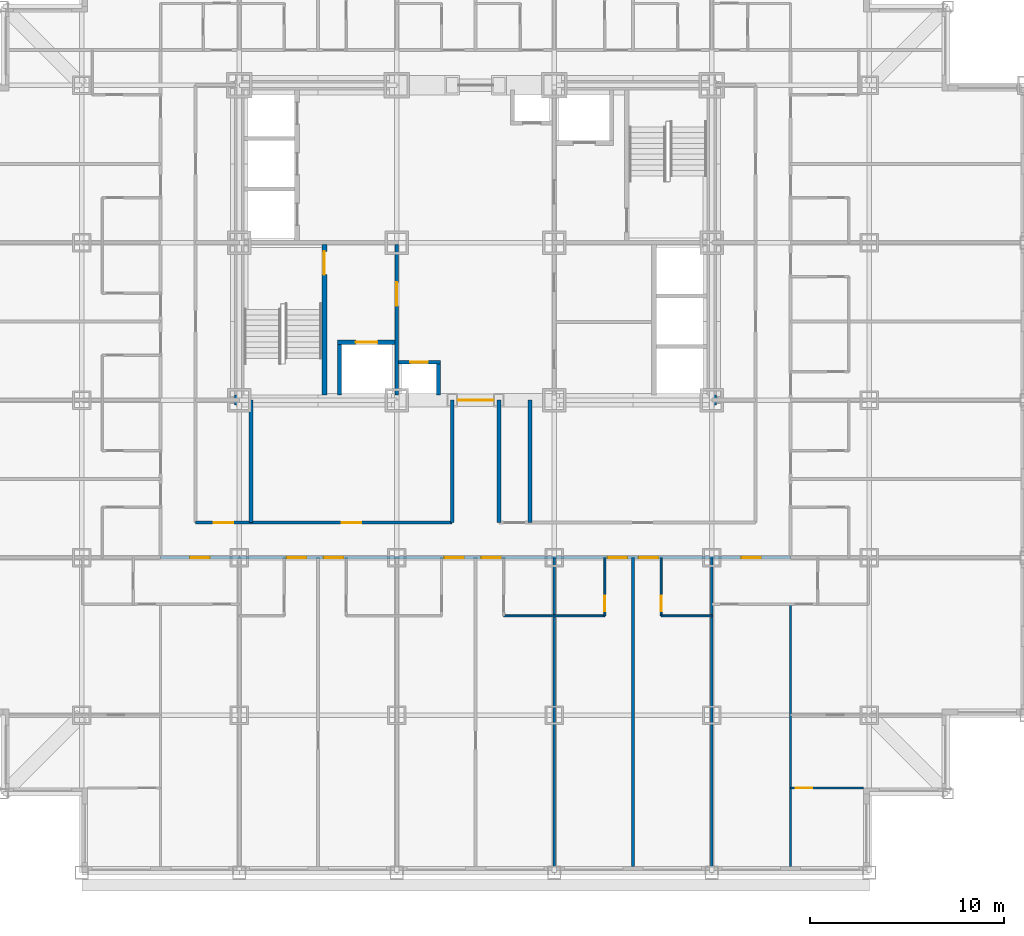
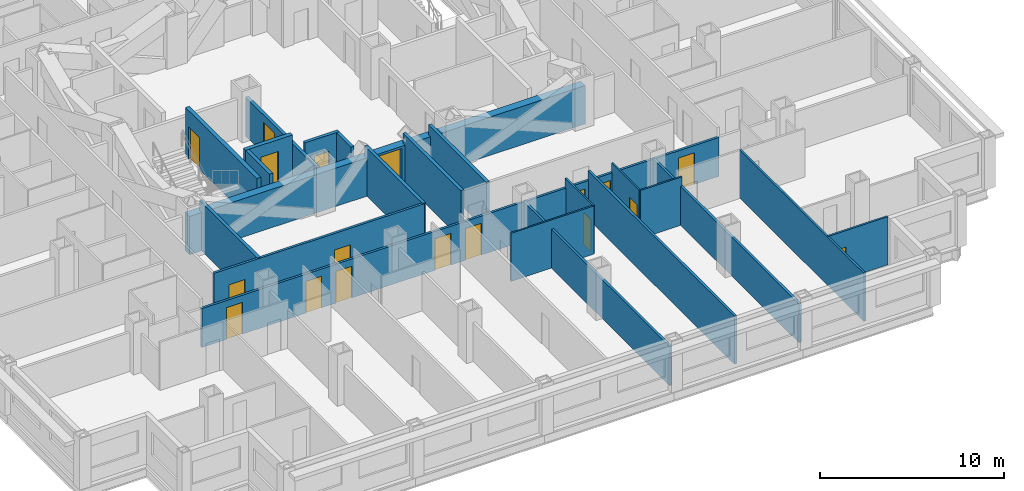
# One storey, part 5 of 11: 22 walls, 18 doors, 18 openings.
"""IFC4 building model written with IfcOpenShell, lengths in metres."""

from ifc_helpers import new_model, si_unit, direction, frame, frame_2d, origin, place, context, subcontext, project, spatial, rectangle, extrude, material, layer, layer_set, type_object, element, fill, save


model = new_model("IFC4")

# Units and contexts
model_context = context("Model", 3, precision=1e-05, world=origin(), true_north=direction((0.0, 1.0)))
body_context = subcontext(model_context, "Body", "Model", "MODEL_VIEW")
ifc_project = project(units=[si_unit("LENGTHUNIT", "METRE"), si_unit("AREAUNIT", "SQUARE_METRE"), si_unit("VOLUMEUNIT", "CUBIC_METRE"), si_unit("PLANEANGLEUNIT", "RADIAN"), si_unit("MASSUNIT", "GRAM", prefix="KILO")], contexts=[model_context])

# Site, building, storey
site_placement = place(None, origin())
site = spatial("IfcSite", under=ifc_project, at=site_placement, CompositionType="ELEMENT")
building_placement = place(site_placement, origin())
building = spatial("IfcBuilding", under=site, at=building_placement, Name="Kopane Lantern Tower", CompositionType="ELEMENT")
storey_placement = place(building_placement, frame((0.0, 0.0, 33.0)))
storey = spatial("IfcBuildingStorey", under=building, at=storey_placement, Name="L06", CompositionType="ELEMENT", Elevation=33.0)

# Wall
ifc_material_1 = material(Name="Gypsum board on steel studs", Category="steel")
ifc_layer_1 = layer(ifc_material_1, 0.1201171875)
ifc_layer_set_1 = layer_set([ifc_layer_1], Name="APARTMENT INTERNAL WALL 120")
wall_type_1 = type_object("IfcWallType", Name="APARTMENT INTERNAL WALL 120", PredefinedType="PARTITIONING", material=ifc_layer_set_1)
wall_1_placement = place(storey_placement, frame((44.550048828125, 13.800048828125, 0.0), z_axis=(0.0, 0.0, 1.0), x_axis=(0.0, -1.0, 0.0)))
element("IfcWall", 1, at=wall_1_placement, inside=storey, type_object=wall_type_1, Name="Apartment Internal Wall 120 L06", PredefinedType="PARTITIONING", context=body_context, shape_type="SweptSolid", body=[
    extrude(rectangle(XDim=13.5, YDim=0.1201171875, at=frame_2d((6.75, 0.0))), origin(), (0.0, 0.0, 1.0), 3.18994140625),
])

# Wall, opening, door
wall_2_placement = place(storey_placement, frame((44.550048828125, 4.35009765625, 0.0), z_axis=(0.0, 0.0, 1.0), x_axis=(1.0, 0.0, 0.0)))
wall_2 = element("IfcWall", 2, at=wall_2_placement, inside=storey, type_object=wall_type_1, Name="Apartment Internal Wall 120 L06", PredefinedType="PARTITIONING", context=body_context, shape_type="SweptSolid", body=[
    extrude(rectangle(XDim=3.75, YDim=0.1201171875, at=frame_2d((1.875, 0.0))), origin(), (0.0, 0.0, 1.0), 3.18994140625),
])
opening_1_placement = place(wall_2_placement, frame((0.27490234375, 0.0, 0.0)))
opening_1 = element("IfcOpeningElement", 3, at=opening_1_placement, cuts=wall_2, Name="Opening L06-076", PredefinedType="OPENING", context=body_context, shape_type="SweptSolid", body=[
    extrude(rectangle(XDim=0.85009765625, YDim=2.10009765625, at=frame_2d((0.425048828125, 1.050048828125))), frame((0.0, 0.070068359375, 0.0), z_axis=(0.0, -1.0, 0.0), x_axis=(1.0, 0.0, 0.0)), (0.0, 0.0, 1.0), 0.14013671875),
])
ifc_material_2 = material(Name="Timber door set", Category="wood")
door_type_1 = type_object("IfcDoorType", Name="DOOR D4 850x2100", OperationType="SINGLE_SWING_LEFT", PredefinedType="DOOR", material=ifc_material_2)
door_1_placement = place(opening_1_placement, origin())
door_1 = element("IfcDoor", 4, at=door_1_placement, inside=storey, type_object=door_type_1, Name="Door L06-076", OperationType="SINGLE_SWING_RIGHT", OverallHeight=2.10009765625, OverallWidth=0.85009765625, PredefinedType="DOOR", context=body_context, shape_type="SweptSolid", body=[
    extrude(rectangle(XDim=0.85009765625, YDim=2.10009765625, at=frame_2d((0.425048828125, 1.050048828125))), frame((0.0, 0.02490234375, 0.0), z_axis=(0.0, -1.0, 0.0), x_axis=(1.0, 0.0, 0.0)), (0.0, 0.0, 1.0), 0.050048828125),
])
fill(opening_1, door_1)

# Wall
ifc_material_3 = material(Name="Moisture-resistant board on steel studs", Category="steel")
ifc_layer_2 = layer(ifc_material_3, 0.10009765625)
ifc_layer_set_2 = layer_set([ifc_layer_2], Name="BATHROOM WALL 100")
wall_type_2 = type_object("IfcWallType", Name="BATHROOM WALL 100", PredefinedType="PARTITIONING", material=ifc_layer_set_2)
wall_3_placement = place(storey_placement, frame((29.800048828125, 13.199951171875, 0.0), z_axis=(0.0, 0.0, 1.0), x_axis=(1.0, 0.0, 0.0)))
element("IfcWall", 5, at=wall_3_placement, inside=storey, type_object=wall_type_2, Name="Bathroom Wall 100 L06", PredefinedType="PARTITIONING", context=body_context, shape_type="SweptSolid", body=[
    extrude(rectangle(XDim=5.199951171875, YDim=0.10009765625, at=frame_2d((2.60009765625, 0.0))), origin(), (0.0, 0.0, 1.0), 3.18994140625),
])

# Wall, opening, door
wall_4_placement = place(storey_placement, frame((35.0, 16.199951171875, 0.0), z_axis=(0.0, 0.0, 1.0), x_axis=(0.0, -1.0, 0.0)))
wall_4 = element("IfcWall", 6, at=wall_4_placement, inside=storey, type_object=wall_type_2, Name="Bathroom Wall 100 L06", PredefinedType="PARTITIONING", context=body_context, shape_type="SweptSolid", body=[
    extrude(rectangle(XDim=3.0, YDim=0.10009765625, at=frame_2d((1.5, 0.0))), origin(), (0.0, 0.0, 1.0), 3.18994140625),
])
opening_2_placement = place(wall_4_placement, frame((1.949951171875, 0.0, 0.0)))
opening_2 = element("IfcOpeningElement", 7, at=opening_2_placement, cuts=wall_4, Name="Opening L06-019", PredefinedType="OPENING", context=body_context, shape_type="SweptSolid", body=[
    extrude(rectangle(XDim=0.800048828125, YDim=2.10009765625, at=frame_2d((0.39990234375, 1.050048828125))), frame((0.0, 0.06005859375, 0.0), z_axis=(0.0, -1.0, 0.0), x_axis=(1.0, 0.0, 0.0)), (0.0, 0.0, 1.0), 0.1201171875),
])
ifc_material_4 = material(Name="Timber door set", Category="wood")
door_type_2 = type_object("IfcDoorType", Name="DOOR D2 800x2100", OperationType="SINGLE_SWING_LEFT", PredefinedType="DOOR", material=ifc_material_4)
door_2_placement = place(opening_2_placement, origin())
door_2 = element("IfcDoor", 8, at=door_2_placement, inside=storey, type_object=door_type_2, Name="Door L06-019", OperationType="SINGLE_SWING_LEFT", OverallHeight=2.10009765625, OverallWidth=0.800048828125, PredefinedType="DOOR", context=body_context, shape_type="SweptSolid", body=[
    extrude(rectangle(XDim=0.800048828125, YDim=2.10009765625, at=frame_2d((0.39990234375, 1.050048828125))), frame((0.0, 0.02490234375, 0.0), z_axis=(0.0, -1.0, 0.0), x_axis=(1.0, 0.0, 0.0)), (0.0, 0.0, 1.0), 0.050048828125),
])
fill(opening_2, door_2)

# Wall
wall_5_placement = place(storey_placement, frame((37.89990234375, 13.199951171875, 0.0), z_axis=(0.0, 0.0, 1.0), x_axis=(1.0, 0.0, 0.0)))
element("IfcWall", 9, at=wall_5_placement, inside=storey, type_object=wall_type_2, Name="Bathroom Wall 100 L06", PredefinedType="PARTITIONING", context=body_context, shape_type="SweptSolid", body=[
    extrude(rectangle(XDim=2.60009765625, YDim=0.10009765625, at=frame_2d((1.300048828125, 0.0))), origin(), (0.0, 0.0, 1.0), 3.18994140625),
])

# Wall, opening, door
wall_6_placement = place(storey_placement, frame((37.89990234375, 16.199951171875, 0.0), z_axis=(0.0, 0.0, 1.0), x_axis=(0.0, -1.0, 0.0)))
wall_6 = element("IfcWall", 10, at=wall_6_placement, inside=storey, type_object=wall_type_2, Name="Bathroom Wall 100 L06", PredefinedType="PARTITIONING", context=body_context, shape_type="SweptSolid", body=[
    extrude(rectangle(XDim=3.0, YDim=0.10009765625, at=frame_2d((1.5, 0.0))), origin(), (0.0, 0.0, 1.0), 3.18994140625),
])
opening_3_placement = place(wall_6_placement, frame((1.949951171875, 0.0, 0.0)))
opening_3 = element("IfcOpeningElement", 11, at=opening_3_placement, cuts=wall_6, Name="Opening L06-021", PredefinedType="OPENING", context=body_context, shape_type="SweptSolid", body=[
    extrude(rectangle(XDim=0.800048828125, YDim=2.10009765625, at=frame_2d((0.39990234375, 1.050048828125))), frame((0.0, 0.06005859375, 0.0), z_axis=(0.0, -1.0, 0.0), x_axis=(1.0, 0.0, 0.0)), (0.0, 0.0, 1.0), 0.1201171875),
])
door_3_placement = place(opening_3_placement, origin())
door_3 = element("IfcDoor", 12, at=door_3_placement, inside=storey, type_object=door_type_2, Name="Door L06-021", OperationType="SINGLE_SWING_RIGHT", OverallHeight=2.10009765625, OverallWidth=0.800048828125, PredefinedType="DOOR", context=body_context, shape_type="SweptSolid", body=[
    extrude(rectangle(XDim=0.800048828125, YDim=2.10009765625, at=frame_2d((0.39990234375, 1.050048828125))), frame((0.0, 0.02490234375, 0.0), z_axis=(0.0, -1.0, 0.0), x_axis=(1.0, 0.0, 0.0)), (0.0, 0.0, 1.0), 0.050048828125),
])
fill(opening_3, door_3)

ifc_material_5 = material(Name="Gypsum shaft wall EI 120", Category="gypsum")
ifc_layer_3 = layer(ifc_material_5, 0.5)
ifc_layer_set_3 = layer_set([ifc_layer_3], Name="CORE PERIMETER WALL 500 EI 120")
wall_type_3 = type_object("IfcWallType", Name="CORE PERIMETER WALL 500 EI 120", PredefinedType="SOLIDWALL", material=ifc_layer_set_3)
wall_7_placement = place(storey_placement, frame((15.949951171875, 24.300048828125, 0.0), z_axis=(0.0, 0.0, 1.0), x_axis=(1.0, 0.0, 0.0)))
wall_7 = element("IfcWall", 13, at=wall_7_placement, inside=storey, type_object=wall_type_3, Name="Core shaft wall L06 PS", PredefinedType="SOLIDWALL", context=body_context, shape_type="SweptSolid", body=[
    extrude(rectangle(XDim=24.800048828125, YDim=0.5, at=frame_2d((12.39990234375, 0.0))), origin(), (0.0, 0.0, 1.0), 2.5400390625),
])
opening_4_placement = place(wall_7_placement, frame((11.5, 0.0, 0.0)))
opening_4 = element("IfcOpeningElement", 14, at=opening_4_placement, cuts=wall_7, Name="Opening 06.CE-S", PredefinedType="OPENING", context=body_context, shape_type="SweptSolid", body=[
    extrude(rectangle(XDim=1.800048828125, YDim=2.39990234375, at=frame_2d((0.89990234375, 1.199951171875))), frame((0.0, 0.260009765625, 0.0), z_axis=(0.0, -1.0, 0.0), x_axis=(1.0, 0.0, 0.0)), (0.0, 0.0, 1.0), 0.52001953125),
])
ifc_material_6 = material(Name="Steel door set", Category="steel")
door_type_3 = type_object("IfcDoorType", Name="CORE ENTRY DOOR 1800x2400 FD60S", OperationType="DOUBLE_DOOR_SINGLE_SWING", PredefinedType="DOOR", material=ifc_material_6)
door_4_placement = place(opening_4_placement, origin())
door_4 = element("IfcDoor", 15, at=door_4_placement, inside=storey, type_object=door_type_3, Name="Core entry door L06 south", OperationType="DOUBLE_DOOR_SINGLE_SWING", OverallHeight=2.39990234375, OverallWidth=1.800048828125, PredefinedType="DOOR", context=body_context, shape_type="SweptSolid", body=[
    extrude(rectangle(XDim=1.800048828125, YDim=2.39990234375, at=frame_2d((0.89990234375, 1.199951171875))), frame((0.0, 0.02490234375, 0.0), z_axis=(0.0, -1.0, 0.0), x_axis=(1.0, 0.0, 0.0)), (0.0, 0.0, 1.0), 0.050048828125),
])
fill(opening_4, door_4)

ifc_material_7 = material(Name="Gypsum shaft wall EI 120", Category="gypsum")
ifc_layer_4 = layer(ifc_material_7, 0.25)
ifc_layer_set_4 = layer_set([ifc_layer_4], Name="CORE SHAFT WALL 250 EI 120")
wall_type_4 = type_object("IfcWallType", Name="CORE SHAFT WALL 250 EI 120", PredefinedType="SOLIDWALL", material=ifc_layer_set_4)
wall_8_placement = place(storey_placement, frame((20.574951171875, 24.550048828125, 0.0), z_axis=(0.0, 0.0, 1.0), x_axis=(0.0, 1.0, 0.0)))
wall_8 = element("IfcWall", 16, at=wall_8_placement, inside=storey, type_object=wall_type_4, Name="Core shaft wall L06 XST1", PredefinedType="SOLIDWALL", context=body_context, shape_type="SweptSolid", body=[
    extrude(rectangle(XDim=7.75, YDim=0.25, at=frame_2d((3.875, 0.0))), origin(), (0.0, 0.0, 1.0), 3.18994140625),
])
opening_5_placement = place(wall_8_placement, frame((6.199951171875, 0.0, 0.0)))
opening_5 = element("IfcOpeningElement", 17, at=opening_5_placement, cuts=wall_8, Name="Opening 06.SD1", PredefinedType="OPENING", context=body_context, shape_type="SweptSolid", body=[
    extrude(rectangle(XDim=1.199951171875, YDim=2.10009765625, at=frame_2d((0.60009765625, 1.050048828125))), frame((0.0, 0.135009765625, 0.0), z_axis=(0.0, -1.0, 0.0), x_axis=(1.0, 0.0, 0.0)), (0.0, 0.0, 1.0), 0.27001953125),
])
ifc_material_8 = material(Name="Steel door set", Category="steel")
door_type_4 = type_object("IfcDoorType", Name="STAIR DOOR 1200x2100 FD60S", OperationType="SINGLE_SWING_LEFT", PredefinedType="DOOR", material=ifc_material_8)
door_5_placement = place(opening_5_placement, origin())
door_5 = element("IfcDoor", 18, at=door_5_placement, inside=storey, type_object=door_type_4, Name="Stair door ST1 L06", OperationType="SINGLE_SWING_LEFT", OverallHeight=2.10009765625, OverallWidth=1.199951171875, PredefinedType="DOOR", context=body_context, shape_type="SweptSolid", body=[
    extrude(rectangle(XDim=1.199951171875, YDim=2.10009765625, at=frame_2d((0.60009765625, 1.050048828125))), frame((0.0, 0.02490234375, 0.0), z_axis=(0.0, -1.0, 0.0), x_axis=(1.0, 0.0, 0.0)), (0.0, 0.0, 1.0), 0.050048828125),
])
fill(opening_5, door_5)

wall_9_placement = place(storey_placement, frame((21.25, 27.27490234375, 0.0), z_axis=(0.0, 0.0, 1.0), x_axis=(1.0, 0.0, 0.0)))
wall_9 = element("IfcWall", 19, at=wall_9_placement, inside=storey, type_object=wall_type_4, Name="Core shaft wall L06 YLF1", PredefinedType="SOLIDWALL", context=body_context, shape_type="SweptSolid", body=[
    extrude(rectangle(XDim=2.949951171875, YDim=0.25, at=frame_2d((1.47509765625, 0.0))), origin(), (0.0, 0.0, 1.0), 3.18994140625),
])
opening_6_placement = place(wall_9_placement, frame((0.949951171875, 0.0, 0.0)))
opening_6 = element("IfcOpeningElement", 20, at=opening_6_placement, cuts=wall_9, Name="Opening 06.LD-LF1", PredefinedType="OPENING", context=body_context, shape_type="SweptSolid", body=[
    extrude(rectangle(XDim=1.10009765625, YDim=2.39990234375, at=frame_2d((0.550048828125, 1.199951171875))), frame((0.0, 0.135009765625, 0.0), z_axis=(0.0, -1.0, 0.0), x_axis=(1.0, 0.0, 0.0)), (0.0, 0.0, 1.0), 0.27001953125),
])
ifc_material_9 = material(Name="Steel door set", Category="steel")
door_type_5 = type_object("IfcDoorType", Name="LIFT LANDING DOOR 1100x2400 FD60", OperationType="DOUBLE_DOOR_SLIDING", PredefinedType="DOOR", material=ifc_material_9)
door_6_placement = place(opening_6_placement, origin())
door_6 = element("IfcDoor", 21, at=door_6_placement, inside=storey, type_object=door_type_5, Name="Landing door LF1 L06", OperationType="DOUBLE_DOOR_SLIDING", OverallHeight=2.39990234375, OverallWidth=1.10009765625, PredefinedType="DOOR", context=body_context, shape_type="SweptSolid", body=[
    extrude(rectangle(XDim=1.10009765625, YDim=2.39990234375, at=frame_2d((0.550048828125, 1.199951171875))), frame((0.0, 0.02490234375, 0.0), z_axis=(0.0, -1.0, 0.0), x_axis=(1.0, 0.0, 0.0)), (0.0, 0.0, 1.0), 0.050048828125),
])
fill(opening_6, door_6)

# Wall, openings, doors
ifc_material_10 = material(Name="Gypsum board on steel studs", Category="steel")
ifc_layer_5 = layer(ifc_material_10, 0.14990234375)
ifc_layer_set_5 = layer_set([ifc_layer_5], Name="CORRIDOR WALL 150 EI 60")
wall_type_5 = type_object("IfcWallType", Name="CORRIDOR WALL 150 EI 60", PredefinedType="PARTITIONING", material=ifc_layer_set_5)
wall_10_placement = place(storey_placement, frame((12.14990234375, 16.199951171875, 0.0), z_axis=(0.0, 0.0, 1.0), x_axis=(1.0, 0.0, 0.0)))
wall_10 = element("IfcWall", 22, at=wall_10_placement, inside=storey, type_object=wall_type_5, Name="Corridor Wall 150 Ei 60 L06", PredefinedType="PARTITIONING", context=body_context, shape_type="SweptSolid", body=[
    extrude(rectangle(XDim=32.400146484375, YDim=0.14990234375, at=frame_2d((16.2001953125, 0.0))), origin(), (0.0, 0.0, 1.0), 2.577880859375),
])
opening_7_placement = place(wall_10_placement, frame((6.5, 0.0, 0.0)))
opening_7 = element("IfcOpeningElement", 23, at=opening_7_placement, cuts=wall_10, Name="Opening L06-010", PredefinedType="OPENING", context=body_context, shape_type="SweptSolid", body=[
    extrude(rectangle(XDim=1.0, YDim=2.10009765625, at=frame_2d((0.5, 1.050048828125))), frame((0.0, 0.0849609375, 0.0), z_axis=(0.0, -1.0, 0.0), x_axis=(1.0, 0.0, 0.0)), (0.0, 0.0, 1.0), 0.169921875),
])
opening_8_placement = place(wall_10_placement, frame((8.39990234375, 0.0, 0.0)))
opening_8 = element("IfcOpeningElement", 24, at=opening_8_placement, cuts=wall_10, Name="Opening L06-012", PredefinedType="OPENING", context=body_context, shape_type="SweptSolid", body=[
    extrude(rectangle(XDim=1.0, YDim=2.10009765625, at=frame_2d((0.5, 1.050048828125))), frame((0.0, 0.0849609375, 0.0), z_axis=(0.0, -1.0, 0.0), x_axis=(1.0, 0.0, 0.0)), (0.0, 0.0, 1.0), 0.169921875),
])
opening_9_placement = place(wall_10_placement, frame((14.60009765625, 0.0, 0.0)))
opening_9 = element("IfcOpeningElement", 25, at=opening_9_placement, cuts=wall_10, Name="Opening L06-015", PredefinedType="OPENING", context=body_context, shape_type="SweptSolid", body=[
    extrude(rectangle(XDim=1.0, YDim=2.10009765625, at=frame_2d((0.5, 1.050048828125))), frame((0.0, 0.0849609375, 0.0), z_axis=(0.0, -1.0, 0.0), x_axis=(1.0, 0.0, 0.0)), (0.0, 0.0, 1.0), 0.169921875),
])
opening_10_placement = place(wall_10_placement, frame((16.5, 0.0, 0.0)))
opening_10 = element("IfcOpeningElement", 26, at=opening_10_placement, cuts=wall_10, Name="Opening L06-017", PredefinedType="OPENING", context=body_context, shape_type="SweptSolid", body=[
    extrude(rectangle(XDim=1.0, YDim=2.10009765625, at=frame_2d((0.5, 1.050048828125))), frame((0.0, 0.0849609375, 0.0), z_axis=(0.0, -1.0, 0.0), x_axis=(1.0, 0.0, 0.0)), (0.0, 0.0, 1.0), 0.169921875),
])
opening_11_placement = place(wall_10_placement, frame((23.0, 0.0, 0.0)))
opening_11 = element("IfcOpeningElement", 27, at=opening_11_placement, cuts=wall_10, Name="Opening L06-020", PredefinedType="OPENING", context=body_context, shape_type="SweptSolid", body=[
    extrude(rectangle(XDim=1.0, YDim=2.10009765625, at=frame_2d((0.5, 1.050048828125))), frame((0.0, 0.0849609375, 0.0), z_axis=(0.0, -1.0, 0.0), x_axis=(1.0, 0.0, 0.0)), (0.0, 0.0, 1.0), 0.169921875),
])
opening_12_placement = place(wall_10_placement, frame((24.60009765625, 0.0, 0.0)))
opening_12 = element("IfcOpeningElement", 28, at=opening_12_placement, cuts=wall_10, Name="Opening L06-022", PredefinedType="OPENING", context=body_context, shape_type="SweptSolid", body=[
    extrude(rectangle(XDim=1.0, YDim=2.10009765625, at=frame_2d((0.5, 1.050048828125))), frame((0.0, 0.0849609375, 0.0), z_axis=(0.0, -1.0, 0.0), x_axis=(1.0, 0.0, 0.0)), (0.0, 0.0, 1.0), 0.169921875),
])
opening_13_placement = place(wall_10_placement, frame((1.52490234375, 0.0, 0.0)))
opening_13 = element("IfcOpeningElement", 29, at=opening_13_placement, cuts=wall_10, Name="Opening L06-059", PredefinedType="OPENING", context=body_context, shape_type="SweptSolid", body=[
    extrude(rectangle(XDim=1.0, YDim=2.10009765625, at=frame_2d((0.5, 1.050048828125))), frame((0.0, 0.0849609375, 0.0), z_axis=(0.0, -1.0, 0.0), x_axis=(1.0, 0.0, 0.0)), (0.0, 0.0, 1.0), 0.169921875),
])
opening_14_placement = place(wall_10_placement, frame((29.875, 0.0, 0.0)))
opening_14 = element("IfcOpeningElement", 30, at=opening_14_placement, cuts=wall_10, Name="Opening L06-064", PredefinedType="OPENING", context=body_context, shape_type="SweptSolid", body=[
    extrude(rectangle(XDim=1.0, YDim=2.10009765625, at=frame_2d((0.5, 1.050048828125))), frame((0.0, 0.0849609375, 0.0), z_axis=(0.0, -1.0, 0.0), x_axis=(1.0, 0.0, 0.0)), (0.0, 0.0, 1.0), 0.169921875),
])
ifc_material_11 = material(Name="Steel door set", Category="steel")
door_type_6 = type_object("IfcDoorType", Name="DOOR D1 1000x2100 FD30S", OperationType="SINGLE_SWING_LEFT", PredefinedType="DOOR", material=ifc_material_11)
door_7_placement = place(opening_7_placement, origin())
door_7 = element("IfcDoor", 31, at=door_7_placement, inside=storey, type_object=door_type_6, Name="Door L06-010", OperationType="SINGLE_SWING_RIGHT", OverallHeight=2.10009765625, OverallWidth=1.0, PredefinedType="DOOR", context=body_context, shape_type="SweptSolid", body=[
    extrude(rectangle(XDim=1.0, YDim=2.10009765625, at=frame_2d((0.5, 1.050048828125))), frame((0.0, 0.02490234375, 0.0), z_axis=(0.0, -1.0, 0.0), x_axis=(1.0, 0.0, 0.0)), (0.0, 0.0, 1.0), 0.050048828125),
])
fill(opening_7, door_7)
door_8_placement = place(opening_8_placement, origin())
door_8 = element("IfcDoor", 32, at=door_8_placement, inside=storey, type_object=door_type_6, Name="Door L06-012", OperationType="SINGLE_SWING_LEFT", OverallHeight=2.10009765625, OverallWidth=1.0, PredefinedType="DOOR", context=body_context, shape_type="SweptSolid", body=[
    extrude(rectangle(XDim=1.0, YDim=2.10009765625, at=frame_2d((0.5, 1.050048828125))), frame((0.0, 0.02490234375, 0.0), z_axis=(0.0, -1.0, 0.0), x_axis=(1.0, 0.0, 0.0)), (0.0, 0.0, 1.0), 0.050048828125),
])
fill(opening_8, door_8)
door_9_placement = place(opening_9_placement, origin())
door_9 = element("IfcDoor", 33, at=door_9_placement, inside=storey, type_object=door_type_6, Name="Door L06-015", OperationType="SINGLE_SWING_RIGHT", OverallHeight=2.10009765625, OverallWidth=1.0, PredefinedType="DOOR", context=body_context, shape_type="SweptSolid", body=[
    extrude(rectangle(XDim=1.0, YDim=2.10009765625, at=frame_2d((0.5, 1.050048828125))), frame((0.0, 0.02490234375, 0.0), z_axis=(0.0, -1.0, 0.0), x_axis=(1.0, 0.0, 0.0)), (0.0, 0.0, 1.0), 0.050048828125),
])
fill(opening_9, door_9)
door_10_placement = place(opening_10_placement, origin())
door_10 = element("IfcDoor", 34, at=door_10_placement, inside=storey, type_object=door_type_6, Name="Door L06-017", OperationType="SINGLE_SWING_LEFT", OverallHeight=2.10009765625, OverallWidth=1.0, PredefinedType="DOOR", context=body_context, shape_type="SweptSolid", body=[
    extrude(rectangle(XDim=1.0, YDim=2.10009765625, at=frame_2d((0.5, 1.050048828125))), frame((0.0, 0.02490234375, 0.0), z_axis=(0.0, -1.0, 0.0), x_axis=(1.0, 0.0, 0.0)), (0.0, 0.0, 1.0), 0.050048828125),
])
fill(opening_10, door_10)
door_11_placement = place(opening_11_placement, origin())
door_11 = element("IfcDoor", 35, at=door_11_placement, inside=storey, type_object=door_type_6, Name="Door L06-020", OperationType="SINGLE_SWING_RIGHT", OverallHeight=2.10009765625, OverallWidth=1.0, PredefinedType="DOOR", context=body_context, shape_type="SweptSolid", body=[
    extrude(rectangle(XDim=1.0, YDim=2.10009765625, at=frame_2d((0.5, 1.050048828125))), frame((0.0, 0.02490234375, 0.0), z_axis=(0.0, -1.0, 0.0), x_axis=(1.0, 0.0, 0.0)), (0.0, 0.0, 1.0), 0.050048828125),
])
fill(opening_11, door_11)
door_12_placement = place(opening_12_placement, origin())
door_12 = element("IfcDoor", 36, at=door_12_placement, inside=storey, type_object=door_type_6, Name="Door L06-022", OperationType="SINGLE_SWING_LEFT", OverallHeight=2.10009765625, OverallWidth=1.0, PredefinedType="DOOR", context=body_context, shape_type="SweptSolid", body=[
    extrude(rectangle(XDim=1.0, YDim=2.10009765625, at=frame_2d((0.5, 1.050048828125))), frame((0.0, 0.02490234375, 0.0), z_axis=(0.0, -1.0, 0.0), x_axis=(1.0, 0.0, 0.0)), (0.0, 0.0, 1.0), 0.050048828125),
])
fill(opening_12, door_12)
door_13_placement = place(opening_13_placement, origin())
door_13 = element("IfcDoor", 37, at=door_13_placement, inside=storey, type_object=door_type_6, Name="Door L06-059", OperationType="SINGLE_SWING_LEFT", OverallHeight=2.10009765625, OverallWidth=1.0, PredefinedType="DOOR", context=body_context, shape_type="SweptSolid", body=[
    extrude(rectangle(XDim=1.0, YDim=2.10009765625, at=frame_2d((0.5, 1.050048828125))), frame((0.0, 0.02490234375, 0.0), z_axis=(0.0, -1.0, 0.0), x_axis=(1.0, 0.0, 0.0)), (0.0, 0.0, 1.0), 0.050048828125),
])
fill(opening_13, door_13)
door_14_placement = place(opening_14_placement, origin())
door_14 = element("IfcDoor", 38, at=door_14_placement, inside=storey, type_object=door_type_6, Name="Door L06-064", OperationType="SINGLE_SWING_RIGHT", OverallHeight=2.10009765625, OverallWidth=1.0, PredefinedType="DOOR", context=body_context, shape_type="SweptSolid", body=[
    extrude(rectangle(XDim=1.0, YDim=2.10009765625, at=frame_2d((0.5, 1.050048828125))), frame((0.0, 0.02490234375, 0.0), z_axis=(0.0, -1.0, 0.0), x_axis=(1.0, 0.0, 0.0)), (0.0, 0.0, 1.0), 0.050048828125),
])
fill(opening_14, door_14)

wall_11_placement = place(storey_placement, frame((13.949951171875, 18.0, 0.0), z_axis=(0.0, 0.0, 1.0), x_axis=(1.0, 0.0, 0.0)))
wall_11 = element("IfcWall", 39, at=wall_11_placement, inside=storey, type_object=wall_type_5, Name="Corridor Wall 150 Ei 60 L06", PredefinedType="PARTITIONING", context=body_context, shape_type="SweptSolid", body=[
    extrude(rectangle(XDim=13.18994140625, YDim=0.14990234375, at=frame_2d((6.594970703125, 0.0))), origin(), (0.0, 0.0, 1.0), 3.18994140625),
])
opening_15_placement = place(wall_11_placement, frame((0.9287109375, 0.0, 0.0)))
opening_15 = element("IfcOpeningElement", 40, at=opening_15_placement, cuts=wall_11, Name="Opening L06-005", PredefinedType="OPENING", context=body_context, shape_type="SweptSolid", body=[
    extrude(rectangle(XDim=1.0, YDim=2.10009765625, at=frame_2d((0.5, 1.050048828125))), frame((0.0, 0.0849609375, 0.0), z_axis=(0.0, -1.0, 0.0), x_axis=(1.0, 0.0, 0.0)), (0.0, 0.0, 1.0), 0.169921875),
])
opening_16_placement = place(wall_11_placement, frame((7.528564453125, 0.0, 0.0)))
opening_16 = element("IfcOpeningElement", 41, at=opening_16_placement, cuts=wall_11, Name="Opening L06-006", PredefinedType="OPENING", context=body_context, shape_type="SweptSolid", body=[
    extrude(rectangle(XDim=1.0, YDim=2.10009765625, at=frame_2d((0.5, 1.050048828125))), frame((0.0, 0.0849609375, 0.0), z_axis=(0.0, -1.0, 0.0), x_axis=(1.0, 0.0, 0.0)), (0.0, 0.0, 1.0), 0.169921875),
])
ifc_material_12 = material(Name="Steel door set", Category="steel")
door_type_7 = type_object("IfcDoorType", Name="DOOR D5 1000x2100 FD60", OperationType="SINGLE_SWING_LEFT", PredefinedType="DOOR", material=ifc_material_12)
door_15_placement = place(opening_15_placement, origin())
door_15 = element("IfcDoor", 42, at=door_15_placement, inside=storey, type_object=door_type_7, Name="Door L06-005", OperationType="SINGLE_SWING_LEFT", OverallHeight=2.10009765625, OverallWidth=1.0, PredefinedType="DOOR", context=body_context, shape_type="SweptSolid", body=[
    extrude(rectangle(XDim=1.0, YDim=2.10009765625, at=frame_2d((0.5, 1.050048828125))), frame((0.0, 0.02490234375, 0.0), z_axis=(0.0, -1.0, 0.0), x_axis=(1.0, 0.0, 0.0)), (0.0, 0.0, 1.0), 0.050048828125),
])
fill(opening_15, door_15)
door_16_placement = place(opening_16_placement, origin())
door_16 = element("IfcDoor", 43, at=door_16_placement, inside=storey, type_object=door_type_7, Name="Door L06-006", OperationType="SINGLE_SWING_RIGHT", OverallHeight=2.10009765625, OverallWidth=1.0, PredefinedType="DOOR", context=body_context, shape_type="SweptSolid", body=[
    extrude(rectangle(XDim=1.0, YDim=2.10009765625, at=frame_2d((0.5, 1.050048828125))), frame((0.0, 0.02490234375, 0.0), z_axis=(0.0, -1.0, 0.0), x_axis=(1.0, 0.0, 0.0)), (0.0, 0.0, 1.0), 0.050048828125),
])
fill(opening_16, door_16)

# Walls
ifc_material_13 = material(Name="Gypsum board on steel studs", Category="steel")
ifc_layer_6 = layer(ifc_material_13, 0.14990234375)
ifc_layer_set_6 = layer_set([ifc_layer_6], Name="DEMISING WALL 150 EI 60")
wall_type_6 = type_object("IfcWallType", Name="DEMISING WALL 150 EI 60", PredefinedType="PARTITIONING", material=ifc_layer_set_6)
wall_12_placement = place(storey_placement, frame((32.39990234375, 16.199951171875, 0.0), z_axis=(0.0, 0.0, 1.0), x_axis=(0.0, -1.0, 0.0)))
element("IfcWall", 44, at=wall_12_placement, inside=storey, type_object=wall_type_6, Name="Demising Wall 150 Ei 60 L06", PredefinedType="PARTITIONING", context=body_context, shape_type="SweptSolid", body=[
    extrude(rectangle(XDim=15.89990234375, YDim=0.14990234375, at=frame_2d((7.949951171875, 0.0))), origin(), (0.0, 0.0, 1.0), 2.577880859375),
])
wall_13_placement = place(storey_placement, frame((36.449951171875, 16.199951171875, 0.0), z_axis=(0.0, 0.0, 1.0), x_axis=(0.0, -1.0, 0.0)))
element("IfcWall", 45, at=wall_13_placement, inside=storey, type_object=wall_type_6, Name="Demising Wall 150 Ei 60 L06", PredefinedType="PARTITIONING", context=body_context, shape_type="SweptSolid", body=[
    extrude(rectangle(XDim=15.89990234375, YDim=0.14990234375, at=frame_2d((7.949951171875, 0.0))), origin(), (0.0, 0.0, 1.0), 3.18994140625),
])
wall_14_placement = place(storey_placement, frame((40.5, 16.199951171875, 0.0), z_axis=(0.0, 0.0, 1.0), x_axis=(0.0, -1.0, 0.0)))
element("IfcWall", 46, at=wall_14_placement, inside=storey, type_object=wall_type_6, Name="Demising Wall 150 Ei 60 L06", PredefinedType="PARTITIONING", context=body_context, shape_type="SweptSolid", body=[
    extrude(rectangle(XDim=15.89990234375, YDim=0.14990234375, at=frame_2d((7.949951171875, 0.0))), origin(), (0.0, 0.0, 1.0), 2.577880859375),
])
ifc_material_14 = material(Name="Concrete masonry", Category="masonry")
ifc_layer_7 = layer(ifc_material_14, 0.199951171875)
ifc_layer_set_7 = layer_set([ifc_layer_7], Name="PLANT ROOM WALL 200 EI 120")
wall_type_7 = type_object("IfcWallType", Name="PLANT ROOM WALL 200 EI 120", PredefinedType="SOLIDWALL", material=ifc_layer_set_7)
for number, where, z_axis, x_axis, name in (
    (47, (16.80712890625, 18.0, 0.0), (0.0, 0.0, 1.0), (0.0, 1.0, 0.0), "Plant Room Wall 200 Ei 120 L06"),
    (48, (31.14990234375, 18.0, 0.0), (0.0, 0.0, 1.0), (0.0, 1.0, 0.0), "Plant Room Wall 200 Ei 120 L06"),
    (49, (27.14990234375, 18.0, 0.0), (0.0, 0.0, 1.0), (0.0, 1.0, 0.0), "Plant Room Wall 200 Ei 120 L06"),
    (50, (29.550048828125, 18.0, 0.0), (0.0, 0.0, 1.0), (0.0, 1.0, 0.0), "Plant Room Wall 200 Ei 120 L06"),
):
    element("IfcWall", number, at=place(storey_placement, frame(where, z_axis=z_axis, x_axis=x_axis)), inside=storey, type_object=wall_type_7, Name=name, PredefinedType="SOLIDWALL", context=body_context, shape_type="SweptSolid", body=[
        extrude(rectangle(XDim=6.300048828125, YDim=0.199951171875, at=frame_2d((3.14990234375, 0.0))), origin(), (0.0, 0.0, 1.0), 3.18994140625),
    ])

# Wall, opening, door
ifc_material_15 = material(Name="Gypsum shaft wall EI 120", Category="gypsum")
ifc_layer_8 = layer(ifc_material_15, 0.199951171875)
ifc_layer_set_8 = layer_set([ifc_layer_8], Name="SHAFT WALL 200 EI 120")
wall_type_8 = type_object("IfcWallType", Name="SHAFT WALL 200 EI 120", PredefinedType="SOLIDWALL", material=ifc_layer_set_8)
wall_15_placement = place(storey_placement, frame((24.300048828125, 24.550048828125, 0.0), z_axis=(0.0, 0.0, 1.0), x_axis=(0.0, 1.0, 0.0)))
wall_15 = element("IfcWall", 51, at=wall_15_placement, inside=storey, type_object=wall_type_8, Name="Core shaft wall L06 X243", PredefinedType="SOLIDWALL", context=body_context, shape_type="SweptSolid", body=[
    extrude(rectangle(XDim=7.75, YDim=0.199951171875, at=frame_2d((3.875, 0.0))), origin(), (0.0, 0.0, 1.0), 2.577880859375),
])
opening_17_placement = place(wall_15_placement, frame((4.60009765625, 0.0, 0.0)))
opening_17 = element("IfcOpeningElement", 52, at=opening_17_placement, cuts=wall_15, Name="Opening 06.FL1", PredefinedType="OPENING", context=body_context, shape_type="SweptSolid", body=[
    extrude(rectangle(XDim=1.199951171875, YDim=2.10009765625, at=frame_2d((0.60009765625, 1.050048828125))), frame((0.0, 0.10986328125, 0.0), z_axis=(0.0, -1.0, 0.0), x_axis=(1.0, 0.0, 0.0)), (0.0, 0.0, 1.0), 0.219970703125),
])
ifc_material_16 = material(Name="Steel door set", Category="steel")
door_type_8 = type_object("IfcDoorType", Name="FIREFIGHTING LOBBY DOOR 1200x2100 FD60S", OperationType="SINGLE_SWING_RIGHT", PredefinedType="DOOR", material=ifc_material_16)
door_17_placement = place(opening_17_placement, origin())
door_17 = element("IfcDoor", 53, at=door_17_placement, inside=storey, type_object=door_type_8, Name="Firefighting lobby door FL1 L06", OperationType="SINGLE_SWING_LEFT", OverallHeight=2.10009765625, OverallWidth=1.199951171875, PredefinedType="DOOR", context=body_context, shape_type="SweptSolid", body=[
    extrude(rectangle(XDim=1.199951171875, YDim=2.10009765625, at=frame_2d((0.60009765625, 1.050048828125))), frame((0.0, 0.02490234375, 0.0), z_axis=(0.0, -1.0, 0.0), x_axis=(1.0, 0.0, 0.0)), (0.0, 0.0, 1.0), 0.050048828125),
])
fill(opening_17, door_17)

# Walls
wall_16_placement = place(storey_placement, frame((21.35009765625, 24.550048828125, 0.0), z_axis=(0.0, 0.0, 1.0), x_axis=(0.0, 1.0, 0.0)))
element("IfcWall", 54, at=wall_16_placement, inside=storey, type_object=wall_type_8, Name="Core shaft wall L06 XLF1", PredefinedType="SOLIDWALL", context=body_context, shape_type="SweptSolid", body=[
    extrude(rectangle(XDim=2.599853515625, YDim=0.199951171875, at=frame_2d((1.2998046875, 0.0))), origin(), (0.0, 0.0, 1.0), 3.18994140625),
])
wall_17_placement = place(storey_placement, frame((26.449951171875, 24.550048828125, 0.0), z_axis=(0.0, 0.0, 1.0), x_axis=(0.0, 1.0, 0.0)))
element("IfcWall", 55, at=wall_17_placement, inside=storey, type_object=wall_type_8, Name="Core shaft wall L06 XRS1", PredefinedType="SOLIDWALL", context=body_context, shape_type="SweptSolid", body=[
    extrude(rectangle(XDim=1.599853515625, YDim=0.199951171875, at=frame_2d((0.7998046875, 0.0))), origin(), (0.0, 0.0, 1.0), 3.18994140625),
])

# Wall, opening, door
wall_18_placement = place(storey_placement, frame((24.39990234375, 26.25, 0.0), z_axis=(0.0, 0.0, 1.0), x_axis=(1.0, 0.0, 0.0)))
wall_18 = element("IfcWall", 56, at=wall_18_placement, inside=storey, type_object=wall_type_8, Name="Core shaft wall L06 YRS1", PredefinedType="SOLIDWALL", context=body_context, shape_type="SweptSolid", body=[
    extrude(rectangle(XDim=2.150146484375, YDim=0.199951171875, at=frame_2d((1.0751953125, 0.0))), origin(), (0.0, 0.0, 1.0), 3.18994140625),
])
opening_18_placement = place(wall_18_placement, frame((0.60009765625, 0.0, 0.0)))
opening_18 = element("IfcOpeningElement", 57, at=opening_18_placement, cuts=wall_18, Name="Opening 06.RS1", PredefinedType="OPENING", context=body_context, shape_type="SweptSolid", body=[
    extrude(rectangle(XDim=0.89990234375, YDim=2.10009765625, at=frame_2d((0.449951171875, 1.050048828125))), frame((0.0, 0.10986328125, 0.0), z_axis=(0.0, -1.0, 0.0), x_axis=(1.0, 0.0, 0.0)), (0.0, 0.0, 1.0), 0.219970703125),
])
ifc_material_17 = material(Name="Steel door set", Category="steel")
door_type_9 = type_object("IfcDoorType", Name="RISER ACCESS DOOR 900x2100 FD60", OperationType="SINGLE_SWING_LEFT", PredefinedType="DOOR", material=ifc_material_17)
door_18_placement = place(opening_18_placement, origin())
door_18 = element("IfcDoor", 58, at=door_18_placement, inside=storey, type_object=door_type_9, Name="Riser access door RS1 L06", OperationType="SINGLE_SWING_LEFT", OverallHeight=2.10009765625, OverallWidth=0.89990234375, PredefinedType="DOOR", context=body_context, shape_type="SweptSolid", body=[
    extrude(rectangle(XDim=0.89990234375, YDim=2.10009765625, at=frame_2d((0.449951171875, 1.050048828125))), frame((0.0, 0.02490234375, 0.0), z_axis=(0.0, -1.0, 0.0), x_axis=(1.0, 0.0, 0.0)), (0.0, 0.0, 1.0), 0.050048828125),
])
fill(opening_18, door_18)

save(model, "model.ifc")
